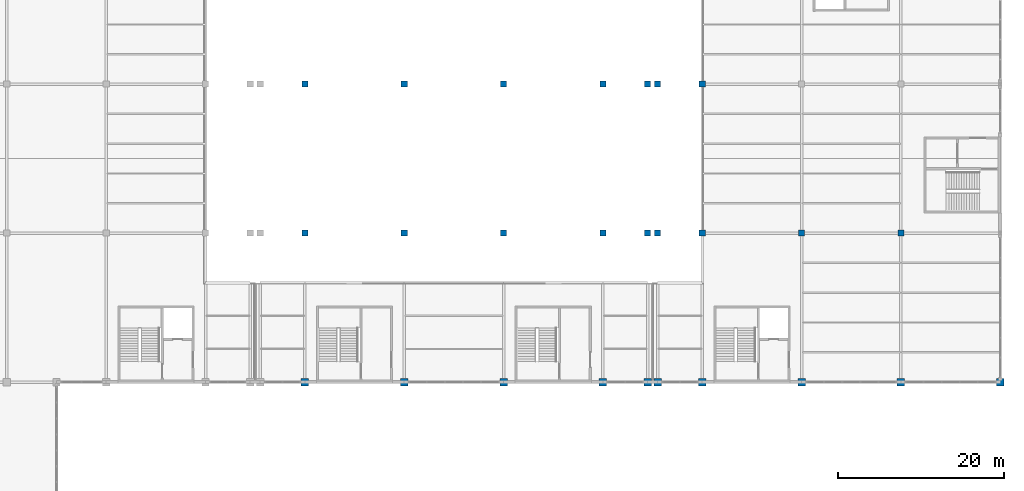
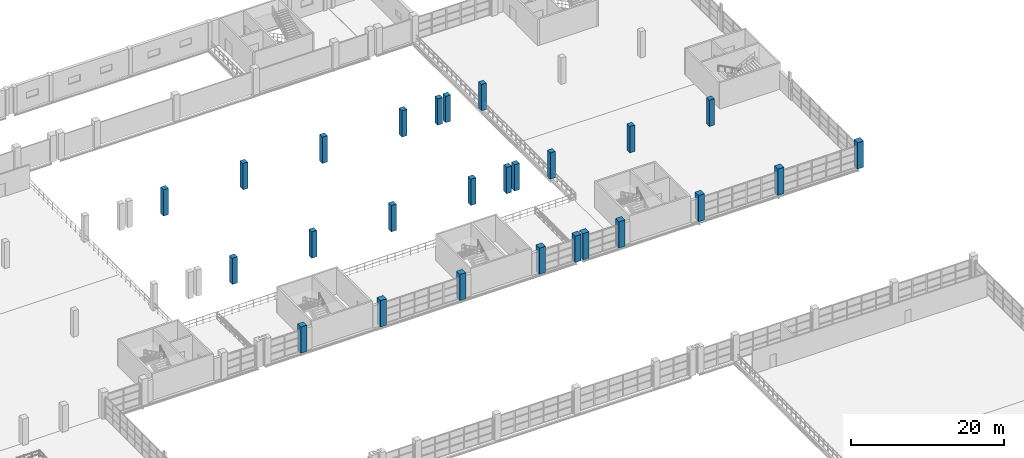
# One storey, part 17 of 158: 26 columns.
"""IFC4 building model written with IfcOpenShell, lengths in metres."""

from ifc_helpers import new_model, si_unit, direction, frame, origin, origin_2d, place, context, subcontext, project, spatial, rectangle, extrude, material, material_profile, profile_set, type_object, element, save


model = new_model("IFC4")

# Units and contexts
model_context = context("Model", 3, precision=1e-05, world=origin(), true_north=direction((0.0, 1.0)))
body_context = subcontext(model_context, "Body", "Model", "MODEL_VIEW")
ifc_project = project(units=[si_unit("LENGTHUNIT", "METRE"), si_unit("AREAUNIT", "SQUARE_METRE"), si_unit("VOLUMEUNIT", "CUBIC_METRE"), si_unit("PLANEANGLEUNIT", "RADIAN"), si_unit("MASSUNIT", "GRAM", prefix="KILO")], contexts=[model_context])

# Site, building, storey
site_placement = place(None, origin())
site = spatial("IfcSite", under=ifc_project, at=site_placement, CompositionType="ELEMENT")
building_placement = place(site_placement, origin())
building = spatial("IfcBuilding", under=site, at=building_placement, Name="Zilviju Railside Exhibition Hall", CompositionType="ELEMENT")
storey_placement = place(building_placement, frame((0.0, 0.0, 4.199951171875)))
storey = spatial("IfcBuildingStorey", under=building, at=storey_placement, Name="L02", CompositionType="ELEMENT", Elevation=4.199951171875)

# Columns
ifc_material_1 = material(Name="Concrete C35/45", Category="concrete")
ifc_material_profile_1 = material_profile(ifc_material_1, rectangle(XDim=0.75, YDim=0.75, at=origin_2d()), Name="RC COL 750x750")
ifc_profile_set_1 = profile_set([ifc_material_profile_1], Name="Concrete C35/45")
column_type_1 = type_object("IfcColumnType", Name="COL-RC-750", PredefinedType="COLUMN", material=ifc_profile_set_1)
for number, where, z_axis, x_axis, name in (
    (1, (132.0, 102.0, 0.0), (0.0, 0.0, 1.0), (1.0, 0.0, 0.0), "Structural Column L02 (132.0, 102.0)"),
    (2, (144.0, 102.0, 0.0), (0.0, 0.0, 1.0), (1.0, 0.0, 0.0), "Structural Column L02 (144.0, 102.0)"),
    (3, (156.0, 102.0, 0.0), (0.0, 0.0, 1.0), (1.0, 0.0, 0.0), "Structural Column L02 (156.0, 102.0)"),
    (4, (168.0, 102.0, 0.0), (0.0, 0.0, 1.0), (1.0, 0.0, 0.0), "Structural Column L02 (168.0, 102.0)"),
    (5, (173.39990234375, 102.0, 0.0), (0.0, 0.0, 1.0), (1.0, 0.0, 0.0), "Structural Column L02 (173.4, 102.0)"),
    (6, (174.60009765625, 102.0, 0.0), (0.0, 0.0, 1.0), (1.0, 0.0, 0.0), "Structural Column L02 (174.6, 102.0)"),
    (7, (180.0, 102.0, 0.0), (0.0, 0.0, 1.0), (1.0, 0.0, 0.0), "Structural Column L02 (180.0, 102.0)"),
    (8, (192.0, 102.0, 0.0), (0.0, 0.0, 1.0), (1.0, 0.0, 0.0), "Structural Column L02 (192.0, 102.0)"),
    (9, (204.0, 102.0, 0.0), (0.0, 0.0, 1.0), (1.0, 0.0, 0.0), "Structural Column L02 (204.0, 102.0)"),
    (10, (132.0, 120.0, 0.0), (0.0, 0.0, 1.0), (1.0, 0.0, 0.0), "Structural Column L02 (132.0, 120.0)"),
    (11, (144.0, 120.0, 0.0), (0.0, 0.0, 1.0), (1.0, 0.0, 0.0), "Structural Column L02 (144.0, 120.0)"),
    (12, (156.0, 120.0, 0.0), (0.0, 0.0, 1.0), (1.0, 0.0, 0.0), "Structural Column L02 (156.0, 120.0)"),
    (13, (168.0, 120.0, 0.0), (0.0, 0.0, 1.0), (1.0, 0.0, 0.0), "Structural Column L02 (168.0, 120.0)"),
    (14, (173.39990234375, 120.0, 0.0), (0.0, 0.0, 1.0), (1.0, 0.0, 0.0), "Structural Column L02 (173.4, 120.0)"),
    (15, (174.60009765625, 120.0, 0.0), (0.0, 0.0, 1.0), (1.0, 0.0, 0.0), "Structural Column L02 (174.6, 120.0)"),
    (16, (180.0, 120.0, 0.0), (0.0, 0.0, 1.0), (1.0, 0.0, 0.0), "Structural Column L02 (180.0, 120.0)"),
):
    element("IfcColumn", number, at=place(storey_placement, frame(where, z_axis=z_axis, x_axis=x_axis)), inside=storey, type_object=column_type_1, Name=name, PredefinedType="COLUMN", context=body_context, shape_type="SweptSolid", body=[
        extrude(rectangle(XDim=0.75, YDim=0.75, at=origin_2d()), origin(), (0.0, 0.0, 1.0), 4.199951171875),
    ])
ifc_material_2 = material(Name="Concrete C40/50", Category="concrete")
ifc_material_profile_2 = material_profile(ifc_material_2, rectangle(XDim=0.89990234375, YDim=0.89990234375, at=origin_2d()), Name="RC COL 900x900")
ifc_profile_set_2 = profile_set([ifc_material_profile_2], Name="Concrete C40/50")
column_type_2 = type_object("IfcColumnType", Name="COL-RC-900", PredefinedType="COLUMN", material=ifc_profile_set_2)
for number, where, z_axis, x_axis, name in (
    (17, (132.0, 84.0, 0.0), (0.0, 0.0, 1.0), (1.0, 0.0, 0.0), "Structural Column L02 (132.0, 84.0)"),
    (18, (144.0, 84.0, 0.0), (0.0, 0.0, 1.0), (1.0, 0.0, 0.0), "Structural Column L02 (144.0, 84.0)"),
    (19, (156.0, 84.0, 0.0), (0.0, 0.0, 1.0), (1.0, 0.0, 0.0), "Structural Column L02 (156.0, 84.0)"),
    (20, (168.0, 84.0, 0.0), (0.0, 0.0, 1.0), (1.0, 0.0, 0.0), "Structural Column L02 (168.0, 84.0)"),
    (21, (173.39990234375, 84.0, 0.0), (0.0, 0.0, 1.0), (1.0, 0.0, 0.0), "Structural Column L02 (173.4, 84.0)"),
    (22, (174.60009765625, 84.0, 0.0), (0.0, 0.0, 1.0), (1.0, 0.0, 0.0), "Structural Column L02 (174.6, 84.0)"),
    (23, (180.0, 84.0, 0.0), (0.0, 0.0, 1.0), (1.0, 0.0, 0.0), "Structural Column L02 (180.0, 84.0)"),
    (24, (192.0, 84.0, 0.0), (0.0, 0.0, 1.0), (1.0, 0.0, 0.0), "Structural Column L02 (192.0, 84.0)"),
    (25, (204.0, 84.0, 0.0), (0.0, 0.0, 1.0), (1.0, 0.0, 0.0), "Structural Column L02 (204.0, 84.0)"),
    (26, (216.0, 84.0, 0.0), (0.0, 0.0, 1.0), (1.0, 0.0, 0.0), "Structural Column L02 (216.0, 84.0)"),
):
    element("IfcColumn", number, at=place(storey_placement, frame(where, z_axis=z_axis, x_axis=x_axis)), inside=storey, type_object=column_type_2, Name=name, PredefinedType="COLUMN", context=body_context, shape_type="SweptSolid", body=[
        extrude(rectangle(XDim=0.89990234375, YDim=0.89990234375, at=origin_2d()), origin(), (0.0, 0.0, 1.0), 4.199951171875),
    ])

save(model, "model.ifc")
